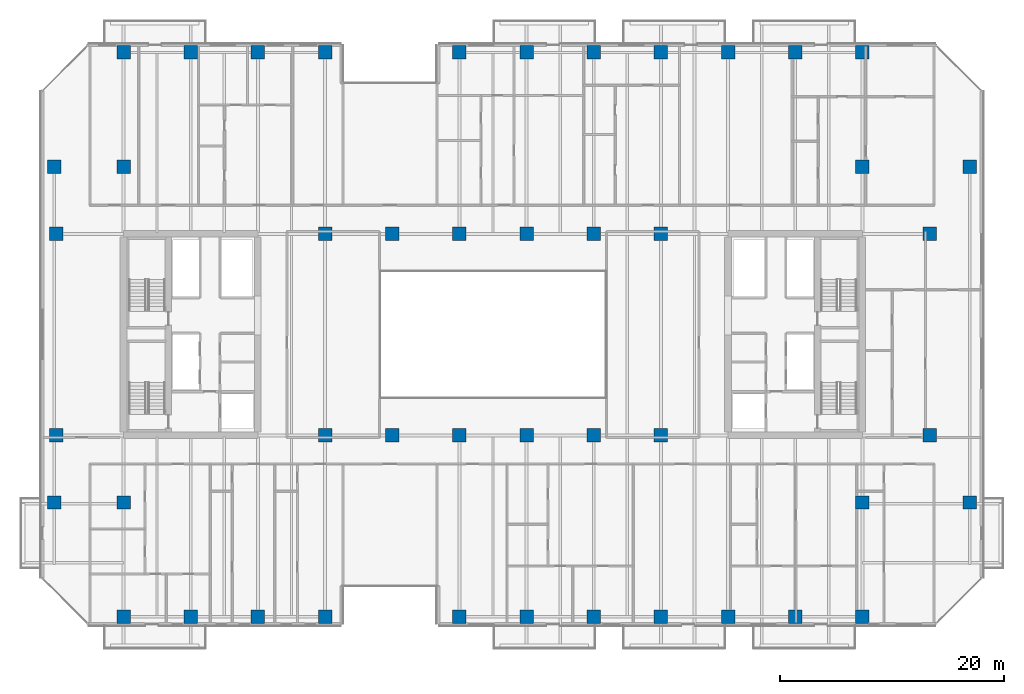
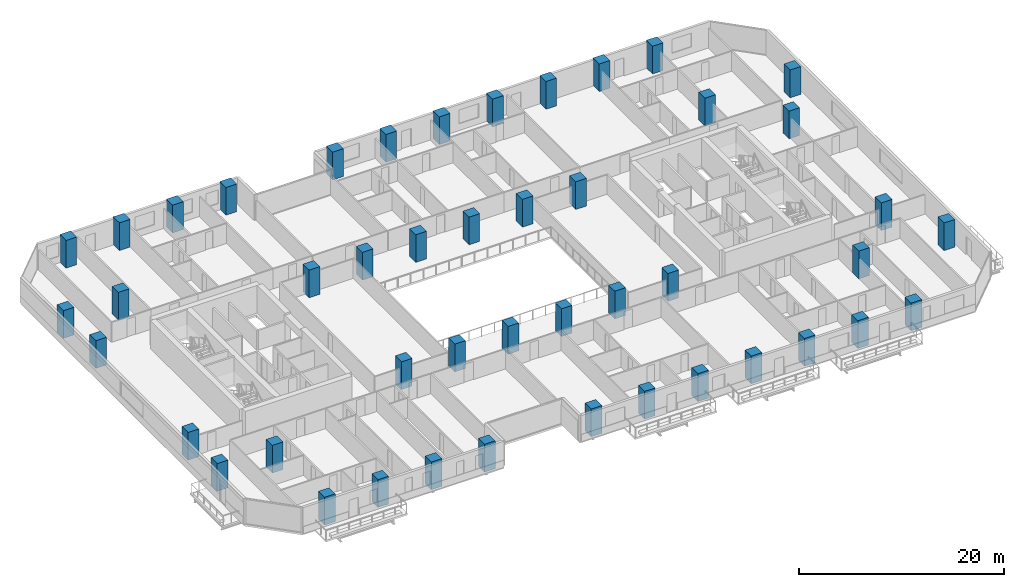
# One storey, part 1 of 33: 46 columns.
"""IFC4 building model written with IfcOpenShell, lengths in metres."""

from ifc_helpers import new_model, si_unit, direction, frame, origin, origin_2d, place, context, subcontext, project, spatial, rectangle, extrude, material, material_profile, profile_set, type_object, element, save


model = new_model("IFC4")

# Units and contexts
model_context = context("Model", 3, precision=1e-05, world=origin(), true_north=direction((0.0, 1.0)))
body_context = subcontext(model_context, "Body", "Model", "MODEL_VIEW")
ifc_project = project(units=[si_unit("LENGTHUNIT", "METRE"), si_unit("AREAUNIT", "SQUARE_METRE"), si_unit("VOLUMEUNIT", "CUBIC_METRE"), si_unit("PLANEANGLEUNIT", "RADIAN"), si_unit("MASSUNIT", "GRAM", prefix="KILO")], contexts=[model_context])

# Site, building, storey
site_placement = place(None, origin())
site = spatial("IfcSite", under=ifc_project, at=site_placement, CompositionType="ELEMENT")
building_placement = place(site_placement, origin())
building = spatial("IfcBuilding", under=site, at=building_placement, Name="Tanjung Sevakor Pilgrim Tower", CompositionType="ELEMENT")
storey_placement = place(building_placement, frame((0.0, 0.0, 32.340087890625)))
storey = spatial("IfcBuildingStorey", under=building, at=storey_placement, Name="L08", CompositionType="ELEMENT", Elevation=32.340087890625)

# Columns
ifc_material = material(Name="Concrete C60/75", Category="concrete")
ifc_material_profile = material_profile(ifc_material, rectangle(XDim=1.199951171875, YDim=1.199951171875, at=origin_2d()))
ifc_profile_set = profile_set([ifc_material_profile], Name="Concrete C60/75")
column_type = type_object("IfcColumnType", Name="COL-C-T1200-RC_1200x1200", PredefinedType="COLUMN", material=ifc_profile_set)
for number, where, z_axis, x_axis, name in (
    (1, (18.0, 24.60009765625, 0.0), (0.0, 0.0, 1.0), (1.0, 0.0, 0.0), "L08 Column SPW-018-246"),
    (2, (18.0, 42.60009765625, 0.0), (0.0, 0.0, 1.0), (1.0, 0.0, 0.0), "L08 Column SPW-018-426"),
    (3, (42.0, 24.60009765625, 0.0), (0.0, 0.0, 1.0), (1.0, 0.0, 0.0), "L08 Column SPW-042-246"),
    (4, (42.0, 42.60009765625, 0.0), (0.0, 0.0, 1.0), (1.0, 0.0, 0.0), "L08 Column SPW-042-426"),
    (5, (48.0, 24.60009765625, 0.0), (0.0, 0.0, 1.0), (1.0, 0.0, 0.0), "L08 Column SPW-048-246"),
    (6, (48.0, 42.60009765625, 0.0), (0.0, 0.0, 1.0), (1.0, 0.0, 0.0), "L08 Column SPW-048-426"),
    (7, (54.0, 24.60009765625, 0.0), (0.0, 0.0, 1.0), (1.0, 0.0, 0.0), "L08 Column SPE-054-246"),
    (8, (54.0, 42.60009765625, 0.0), (0.0, 0.0, 1.0), (1.0, 0.0, 0.0), "L08 Column SPE-054-426"),
    (9, (60.0, 24.60009765625, 0.0), (0.0, 0.0, 1.0), (1.0, 0.0, 0.0), "L08 Column SPE-060-246"),
    (10, (60.0, 42.60009765625, 0.0), (0.0, 0.0, 1.0), (1.0, 0.0, 0.0), "L08 Column SPE-060-426"),
    (11, (66.0, 24.60009765625, 0.0), (0.0, 0.0, 1.0), (1.0, 0.0, 0.0), "L08 Column SPE-066-246"),
    (12, (66.0, 42.60009765625, 0.0), (0.0, 0.0, 1.0), (1.0, 0.0, 0.0), "L08 Column SPE-066-426"),
    (13, (72.0, 24.60009765625, 0.0), (0.0, 0.0, 1.0), (1.0, 0.0, 0.0), "L08 Column SPE-072-246"),
    (14, (72.0, 42.60009765625, 0.0), (0.0, 0.0, 1.0), (1.0, 0.0, 0.0), "L08 Column SPE-072-426"),
    (15, (96.0, 24.60009765625, 0.0), (0.0, 0.0, 1.0), (1.0, 0.0, 0.0), "L08 Column SPE-096-246"),
    (16, (96.0, 42.60009765625, 0.0), (0.0, 0.0, 1.0), (1.0, 0.0, 0.0), "L08 Column SPE-096-426"),
    (17, (17.800048828125, 18.60009765625, 0.0), (0.0, 0.0, 1.0), (1.0, 0.0, 0.0), "L08 Column TCE-0178-186"),
    (18, (17.800048828125, 48.60009765625, 0.0), (0.0, 0.0, 1.0), (1.0, 0.0, 0.0), "L08 Column TCE-0178-486"),
    (19, (24.0, 18.60009765625, 0.0), (0.0, 0.0, 1.0), (1.0, 0.0, 0.0), "L08 Column TCE-0240-186"),
    (20, (24.0, 48.60009765625, 0.0), (0.0, 0.0, 1.0), (1.0, 0.0, 0.0), "L08 Column TCE-0240-486"),
    (21, (90.0, 18.60009765625, 0.0), (0.0, 0.0, 1.0), (1.0, 0.0, 0.0), "L08 Column TCE-0900-186"),
    (22, (90.0, 48.60009765625, 0.0), (0.0, 0.0, 1.0), (1.0, 0.0, 0.0), "L08 Column TCE-0900-486"),
    (23, (99.60009765625, 18.60009765625, 0.0), (0.0, 0.0, 1.0), (1.0, 0.0, 0.0), "L08 Column TCE-0996-186"),
    (24, (99.60009765625, 48.60009765625, 0.0), (0.0, 0.0, 1.0), (1.0, 0.0, 0.0), "L08 Column TCE-0996-486"),
    (25, (24.0, 8.39990234375, 0.0), (0.0, 0.0, 1.0), (1.0, 0.0, 0.0), "L08 Column TC1-024-084"),
    (26, (24.0, 58.800048828125, 0.0), (0.0, 0.0, 1.0), (1.0, 0.0, 0.0), "L08 Column TC1-024-588"),
    (27, (30.0, 8.39990234375, 0.0), (0.0, 0.0, 1.0), (1.0, 0.0, 0.0), "L08 Column TC1-030-084"),
    (28, (30.0, 58.800048828125, 0.0), (0.0, 0.0, 1.0), (1.0, 0.0, 0.0), "L08 Column TC1-030-588"),
    (29, (36.0, 8.39990234375, 0.0), (0.0, 0.0, 1.0), (1.0, 0.0, 0.0), "L08 Column TC1-036-084"),
    (30, (36.0, 58.800048828125, 0.0), (0.0, 0.0, 1.0), (1.0, 0.0, 0.0), "L08 Column TC1-036-588"),
    (31, (42.0, 8.39990234375, 0.0), (0.0, 0.0, 1.0), (1.0, 0.0, 0.0), "L08 Column TC1-042-084"),
    (32, (42.0, 58.800048828125, 0.0), (0.0, 0.0, 1.0), (1.0, 0.0, 0.0), "L08 Column TC1-042-588"),
    (33, (54.0, 8.39990234375, 0.0), (0.0, 0.0, 1.0), (1.0, 0.0, 0.0), "L08 Column TC1-054-084"),
    (34, (54.0, 58.800048828125, 0.0), (0.0, 0.0, 1.0), (1.0, 0.0, 0.0), "L08 Column TC1-054-588"),
    (35, (60.0, 8.39990234375, 0.0), (0.0, 0.0, 1.0), (1.0, 0.0, 0.0), "L08 Column TC1-060-084"),
    (36, (60.0, 58.800048828125, 0.0), (0.0, 0.0, 1.0), (1.0, 0.0, 0.0), "L08 Column TC1-060-588"),
    (37, (66.0, 8.39990234375, 0.0), (0.0, 0.0, 1.0), (1.0, 0.0, 0.0), "L08 Column TC1-066-084"),
    (38, (66.0, 58.800048828125, 0.0), (0.0, 0.0, 1.0), (1.0, 0.0, 0.0), "L08 Column TC1-066-588"),
    (39, (72.0, 8.39990234375, 0.0), (0.0, 0.0, 1.0), (1.0, 0.0, 0.0), "L08 Column TC1-072-084"),
    (40, (72.0, 58.800048828125, 0.0), (0.0, 0.0, 1.0), (1.0, 0.0, 0.0), "L08 Column TC1-072-588"),
    (41, (78.0, 8.39990234375, 0.0), (0.0, 0.0, 1.0), (1.0, 0.0, 0.0), "L08 Column TC1-078-084"),
    (42, (78.0, 58.800048828125, 0.0), (0.0, 0.0, 1.0), (1.0, 0.0, 0.0), "L08 Column TC1-078-588"),
    (43, (84.0, 8.39990234375, 0.0), (0.0, 0.0, 1.0), (1.0, 0.0, 0.0), "L08 Column TC1-084-084"),
    (44, (84.0, 58.800048828125, 0.0), (0.0, 0.0, 1.0), (1.0, 0.0, 0.0), "L08 Column TC1-084-588"),
    (45, (90.0, 8.39990234375, 0.0), (0.0, 0.0, 1.0), (1.0, 0.0, 0.0), "L08 Column TC1-090-084"),
    (46, (90.0, 58.800048828125, 0.0), (0.0, 0.0, 1.0), (1.0, 0.0, 0.0), "L08 Column TC1-090-588"),
):
    element("IfcColumn", number, at=place(storey_placement, frame(where, z_axis=z_axis, x_axis=x_axis)), inside=storey, type_object=column_type, Name=name, PredefinedType="COLUMN", context=body_context, shape_type="SweptSolid", body=[
        extrude(rectangle(XDim=1.199951171875, YDim=1.199951171875, at=origin_2d()), origin(), (0.0, 0.0, 1.0), 3.2998046875),
    ])

save(model, "model.ifc")
